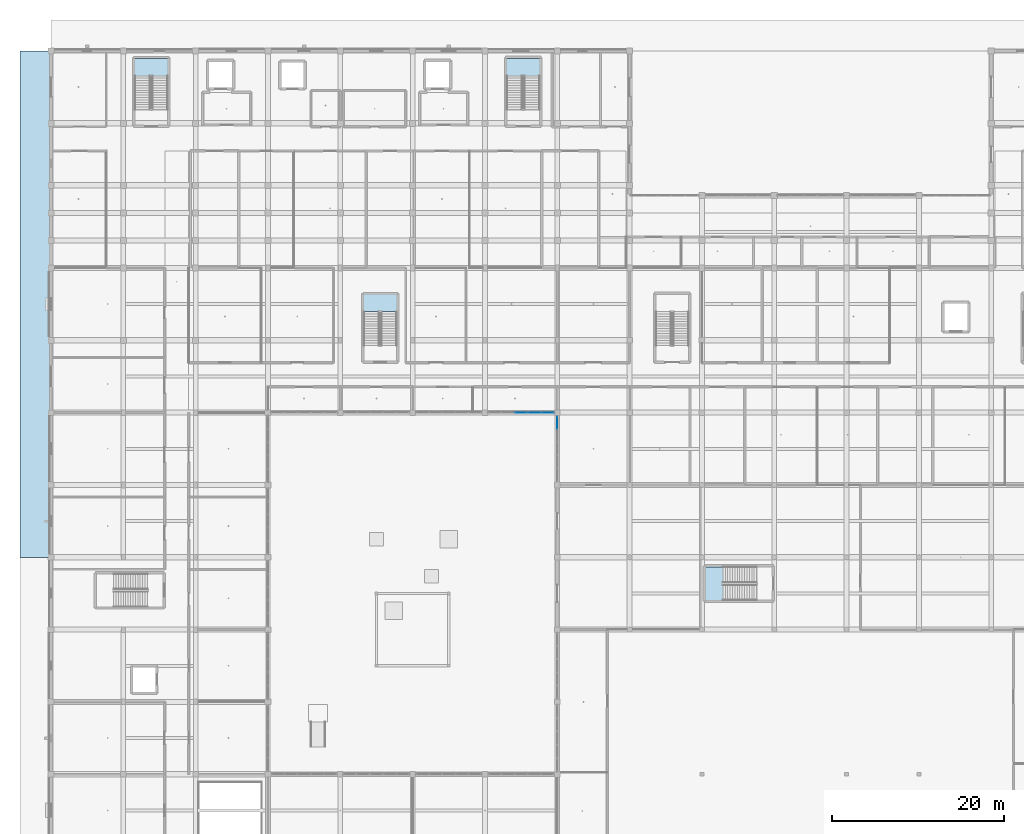
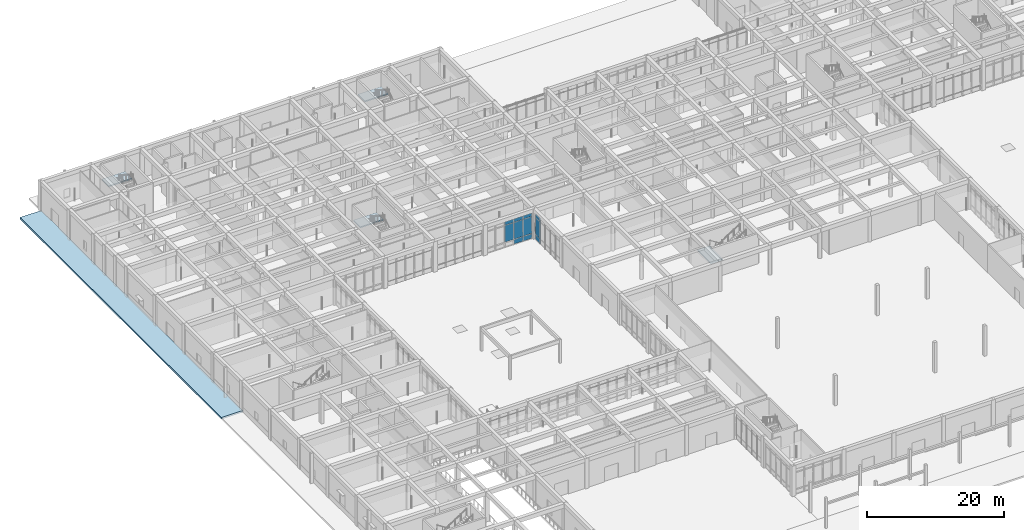
# One storey, part 52 of 167: 11 plates, 5 slabs, 6 elements without a shape of their own.
"""IFC4 building model written with IfcOpenShell, lengths in metres."""

from ifc_helpers import new_model, si_unit, direction, frame, origin, origin_2d, place, context, subcontext, project, spatial, polyline, rectangle, outline, extrude, material, layer, layer_set, type_object, element, aggregate, save


model = new_model("IFC4")

# Units and contexts
model_context = context("Model", 3, precision=1e-05, world=origin(), true_north=direction((0.0, 1.0)))
body_context = subcontext(model_context, "Body", "Model", "MODEL_VIEW")
ifc_project = project(units=[si_unit("LENGTHUNIT", "METRE"), si_unit("AREAUNIT", "SQUARE_METRE"), si_unit("VOLUMEUNIT", "CUBIC_METRE"), si_unit("PLANEANGLEUNIT", "RADIAN"), si_unit("MASSUNIT", "GRAM", prefix="KILO")], contexts=[model_context])

# Site, building, storey
site_placement = place(None, origin())
site = spatial("IfcSite", under=ifc_project, at=site_placement, CompositionType="ELEMENT")
building_placement = place(site_placement, origin())
building = spatial("IfcBuilding", under=site, at=building_placement, Name="Varncliffe General Hospital", CompositionType="ELEMENT")
storey_placement = place(building_placement, origin())
storey = spatial("IfcBuildingStorey", under=building, at=storey_placement, Name="L00", CompositionType="ELEMENT", Elevation=0.0)

# Curtain wall, plates
ifc_material_1 = material(Name="Triple low-E argon insulated vision glazing", Category="glass")
curtain_wall_type_1 = type_object("IfcCurtainWallType", Name="Unitised Glazed Curtain Wall CW26 (7594x4640)", PredefinedType="USERDEFINED", material=ifc_material_1)
curtain_wall_1_placement = place(storey_placement, origin())
curtain_wall_1 = element("IfcCurtainWall", 1, at=curtain_wall_1_placement, inside=storey, type_object=curtain_wall_type_1, Name="L00 Glazed Curtain Wall CW26-23", ObjectType="GLAZED CURTAIN WALL", PredefinedType="USERDEFINED")
ifc_layer_1 = layer(ifc_material_1, 0.0439453125)
ifc_layer_set_1 = layer_set([ifc_layer_1], Name="Triple low-E argon insulated vision glazing")
plate_type_1 = type_object("IfcPlateType", Name="Curtain Wall Glazing Panel CP12 (44mm)", PredefinedType="CURTAIN_PANEL", material=ifc_layer_set_1)
plate_1_placement = place(storey_placement, frame((58.800048828125, 81.621337890625, 0.06005859375), z_axis=(0.0, 0.0, 1.0), x_axis=(0.0, 1.0, 0.0)))
plate_1 = element("IfcPlate", 2, at=plate_1_placement, type_object=plate_type_1, Name="CW26 panel 5.1", PredefinedType="CURTAIN_PANEL", context=body_context, shape_type="SweptSolid", body=[
    extrude(rectangle(XDim=1.42138671875, YDim=0.0439453125, at=origin_2d()), origin(), (0.0, 0.0, 1.0), 0.81005859375),
])
plate_2_placement = place(storey_placement, frame((58.800048828125, 81.621337890625, 0.929931640625), z_axis=(0.0, 0.0, 1.0), x_axis=(0.0, 1.0, 0.0)))
plate_2 = element("IfcPlate", 3, at=plate_2_placement, type_object=plate_type_1, Name="CW26 panel 5.2", PredefinedType="CURTAIN_PANEL", context=body_context, shape_type="SweptSolid", body=[
    extrude(rectangle(XDim=1.42138671875, YDim=0.0439453125, at=origin_2d()), origin(), (0.0, 0.0, 1.0), 2.97998046875),
])
plate_3_placement = place(storey_placement, frame((58.800048828125, 81.621337890625, 3.9697265625), z_axis=(0.0, 0.0, 1.0), x_axis=(0.0, 1.0, 0.0)))
plate_3 = element("IfcPlate", 4, at=plate_3_placement, type_object=plate_type_1, Name="CW26 panel 5.3", PredefinedType="CURTAIN_PANEL", context=body_context, shape_type="SweptSolid", body=[
    extrude(rectangle(XDim=1.42138671875, YDim=0.0439453125, at=origin_2d()), origin(), (0.0, 0.0, 1.0), 0.610107421875),
])
aggregate(curtain_wall_1, [plate_1, plate_2, plate_3])

curtain_wall_type_2 = type_object("IfcCurtainWallType", Name="Unitised Glazed Curtain Wall CW66 (7754x4640)", PredefinedType="USERDEFINED", material=ifc_material_1)
curtain_wall_2_placement = place(storey_placement, origin())
curtain_wall_2 = element("IfcCurtainWall", 5, at=curtain_wall_2_placement, inside=storey, type_object=curtain_wall_type_2, Name="L00 Glazed Curtain Wall CW66-24", ObjectType="GLAZED CURTAIN WALL", PredefinedType="USERDEFINED")
ifc_layer_2 = layer(ifc_material_1, 0.028076171875)
ifc_layer_set_2 = layer_set([ifc_layer_2], Name="Triple low-E argon insulated vision glazing")
plate_type_2 = type_object("IfcPlateType", Name="Curtain Wall Glazing Panel CP48 (28mm)", PredefinedType="CURTAIN_PANEL", material=ifc_layer_set_2)
plate_4_placement = place(storey_placement, frame((57.682861328125, 82.800048828125, 0.06494140625), z_axis=(0.0, 0.0, 1.0), x_axis=(-1.0, 0.0, 0.0)))
plate_4 = element("IfcPlate", 6, at=plate_4_placement, type_object=plate_type_2, Name="CW66 panel 1.1", PredefinedType="CURTAIN_PANEL", context=body_context, shape_type="SweptSolid", body=[
    extrude(rectangle(XDim=1.438232421875, YDim=0.028076171875, at=origin_2d()), origin(), (0.0, 0.0, 1.0), 0.802490234375),
])
plate_5_placement = place(storey_placement, frame((57.682861328125, 82.800048828125, 0.932373046875), z_axis=(0.0, 0.0, 1.0), x_axis=(-1.0, 0.0, 0.0)))
plate_5 = element("IfcPlate", 7, at=plate_5_placement, type_object=plate_type_2, Name="CW66 panel 1.2", PredefinedType="CURTAIN_PANEL", context=body_context, shape_type="SweptSolid", body=[
    extrude(rectangle(XDim=1.438232421875, YDim=0.028076171875, at=origin_2d()), origin(), (0.0, 0.0, 1.0), 2.97509765625),
])
plate_6_placement = place(storey_placement, frame((57.682861328125, 82.800048828125, 3.972412109375), z_axis=(0.0, 0.0, 1.0), x_axis=(-1.0, 0.0, 0.0)))
plate_6 = element("IfcPlate", 8, at=plate_6_placement, type_object=plate_type_2, Name="CW66 panel 1.3", PredefinedType="CURTAIN_PANEL", context=body_context, shape_type="SweptSolid", body=[
    extrude(rectangle(XDim=1.438232421875, YDim=0.028076171875, at=origin_2d()), origin(), (0.0, 0.0, 1.0), 0.6025390625),
])
plate_7_placement = place(storey_placement, frame((56.15087890625, 82.800048828125, 0.06494140625), z_axis=(0.0, 0.0, 1.0), x_axis=(-1.0, 0.0, 0.0)))
plate_7 = element("IfcPlate", 9, at=plate_7_placement, type_object=plate_type_2, Name="CW66 panel 2.1", PredefinedType="CURTAIN_PANEL", context=body_context, shape_type="SweptSolid", body=[
    extrude(rectangle(XDim=1.475830078125, YDim=0.028076171875, at=origin_2d()), origin(), (0.0, 0.0, 1.0), 0.802490234375),
])
plate_8_placement = place(storey_placement, frame((56.15087890625, 82.800048828125, 0.932373046875), z_axis=(0.0, 0.0, 1.0), x_axis=(-1.0, 0.0, 0.0)))
plate_8 = element("IfcPlate", 10, at=plate_8_placement, type_object=plate_type_2, Name="CW66 panel 2.2", PredefinedType="CURTAIN_PANEL", context=body_context, shape_type="SweptSolid", body=[
    extrude(rectangle(XDim=1.475830078125, YDim=0.028076171875, at=origin_2d()), origin(), (0.0, 0.0, 1.0), 2.97509765625),
])
plate_9_placement = place(storey_placement, frame((56.15087890625, 82.800048828125, 3.972412109375), z_axis=(0.0, 0.0, 1.0), x_axis=(-1.0, 0.0, 0.0)))
plate_9 = element("IfcPlate", 11, at=plate_9_placement, type_object=plate_type_2, Name="CW66 panel 2.3", PredefinedType="CURTAIN_PANEL", context=body_context, shape_type="SweptSolid", body=[
    extrude(rectangle(XDim=1.475830078125, YDim=0.028076171875, at=origin_2d()), origin(), (0.0, 0.0, 1.0), 0.6025390625),
])
plate_10_placement = place(storey_placement, frame((54.60009765625, 82.800048828125, 0.932373046875), z_axis=(0.0, 0.0, 1.0), x_axis=(-1.0, 0.0, 0.0)))
plate_10 = element("IfcPlate", 12, at=plate_10_placement, type_object=plate_type_2, Name="CW66 panel 3.2", PredefinedType="CURTAIN_PANEL", context=body_context, shape_type="SweptSolid", body=[
    extrude(rectangle(XDim=1.475830078125, YDim=0.028076171875, at=origin_2d()), origin(), (0.0, 0.0, 1.0), 2.97509765625),
])
plate_11_placement = place(storey_placement, frame((54.60009765625, 82.800048828125, 3.972412109375), z_axis=(0.0, 0.0, 1.0), x_axis=(-1.0, 0.0, 0.0)))
plate_11 = element("IfcPlate", 13, at=plate_11_placement, type_object=plate_type_2, Name="CW66 panel 3.3", PredefinedType="CURTAIN_PANEL", context=body_context, shape_type="SweptSolid", body=[
    extrude(rectangle(XDim=1.475830078125, YDim=0.028076171875, at=origin_2d()), origin(), (0.0, 0.0, 1.0), 0.6025390625),
])
aggregate(curtain_wall_2, [plate_4, plate_5, plate_6, plate_7, plate_8, plate_9, plate_10, plate_11])

# Slab
ifc_material_2 = material(Name="Concrete C35/45 (CSA A23.1 35 MPa)", Category="concrete")
ifc_layer_3 = layer(ifc_material_2, 0.300048828125)
ifc_layer_set_3 = layer_set([ifc_layer_3], Name="Concrete C35/45 (CSA A23.1 35 MPa)")
slab_type_1 = type_object("IfcSlabType", Name="Floor Slab SL54 (Ext 300mm)", PredefinedType="FLOOR", material=ifc_layer_set_3)
slab_1_placement = place(storey_placement, frame((0.0, 0.0, -0.300048828125)))
element("IfcSlab", 14, at=slab_1_placement, inside=storey, type_object=slab_type_1, Name="L00 West Street North Service Apron", PredefinedType="FLOOR", context=body_context, shape_type="SweptSolid", body=[
    extrude(outline(polyline([(-3.60009765625, 66.0), (0.0, 66.0), (0.0, 124.800048828125), (-3.60009765625, 124.800048828125), (-3.60009765625, 66.0)])), origin(), (0.0, 0.0, 1.0), 0.300048828125),
])

# Stair, slab
stair_type = type_object("IfcStairType", Name="Hospital Stair Assembly ST-T02 (1850w-5400h)", PredefinedType="TWO_STRAIGHT_RUN_STAIR", material=ifc_material_2)
stair_1_placement = place(storey_placement, origin())
stair_1 = element("IfcStair", 15, at=stair_1_placement, inside=storey, type_object=stair_type, Name="L00 North-West Ward Exit Stair 1", PredefinedType="TWO_STRAIGHT_RUN_STAIR")
ifc_layer_4 = layer(ifc_material_2, 0.199951171875)
ifc_layer_set_4 = layer_set([ifc_layer_4], Name="Concrete C35/45 (CSA A23.1 35 MPa)")
slab_type_2 = type_object("IfcSlabType", Name="Reinforced Concrete Stair Landing LND50 (200mm)", PredefinedType="LANDING", material=ifc_layer_set_4)
slab_2_placement = place(storey_placement, frame((0.0, 0.0, 2.5)))
slab_2 = element("IfcSlab", 16, at=slab_2_placement, type_object=slab_type_2, Name="ST01 landing 1", PredefinedType="LANDING", context=body_context, shape_type="SweptSolid", body=[
    extrude(outline(polyline([(13.60009765625, 121.919921875), (13.60009765625, 123.949951171875), (9.699951171875, 123.949951171875), (9.699951171875, 121.919921875), (13.60009765625, 121.919921875)])), origin(), (0.0, 0.0, 1.0), 0.199951171875),
])
aggregate(stair_1, [slab_2])

stair_2_placement = place(storey_placement, origin())
stair_2 = element("IfcStair", 17, at=stair_2_placement, inside=storey, type_object=stair_type, Name="L00 North-West Ward Exit Stair 2", PredefinedType="TWO_STRAIGHT_RUN_STAIR")
slab_3_placement = place(storey_placement, frame((0.0, 0.0, 2.5)))
slab_3 = element("IfcSlab", 18, at=slab_3_placement, type_object=slab_type_2, Name="ST02 landing 1", PredefinedType="LANDING", context=body_context, shape_type="SweptSolid", body=[
    extrude(outline(polyline([(56.800048828125, 121.919921875), (56.800048828125, 123.949951171875), (52.89990234375, 123.949951171875), (52.89990234375, 121.919921875), (56.800048828125, 121.919921875)])), origin(), (0.0, 0.0, 1.0), 0.199951171875),
])
aggregate(stair_2, [slab_3])

stair_3_placement = place(storey_placement, origin())
stair_3 = element("IfcStair", 19, at=stair_3_placement, inside=storey, type_object=stair_type, Name="L00 West-Central Clinical Exit Stair 13", PredefinedType="TWO_STRAIGHT_RUN_STAIR")
slab_4_placement = place(storey_placement, frame((0.0, 0.0, 2.5)))
slab_4 = element("IfcSlab", 20, at=slab_4_placement, type_object=slab_type_2, Name="ST13 landing 1", PredefinedType="LANDING", context=body_context, shape_type="SweptSolid", body=[
    extrude(outline(polyline([(40.199951171875, 94.52001953125), (40.199951171875, 96.550048828125), (36.300048828125, 96.550048828125), (36.300048828125, 94.52001953125), (40.199951171875, 94.52001953125)])), origin(), (0.0, 0.0, 1.0), 0.199951171875),
])
aggregate(stair_3, [slab_4])

stair_4_placement = place(storey_placement, origin())
stair_4 = element("IfcStair", 21, at=stair_4_placement, inside=storey, type_object=stair_type, Name="L00 Winter-Garden Concourse Exit Stair 16", PredefinedType="TWO_STRAIGHT_RUN_STAIR")
slab_5_placement = place(storey_placement, frame((0.0, 0.0, 2.5)))
slab_5 = element("IfcSlab", 22, at=slab_5_placement, type_object=slab_type_2, Name="ST16 landing 1", PredefinedType="LANDING", context=body_context, shape_type="SweptSolid", body=[
    extrude(outline(polyline([(78.030029296875, 64.89990234375), (76.0, 64.89990234375), (76.0, 61.0), (78.030029296875, 61.0), (78.030029296875, 64.89990234375)])), origin(), (0.0, 0.0, 1.0), 0.199951171875),
])
aggregate(stair_4, [slab_5])

save(model, "model.ifc")
